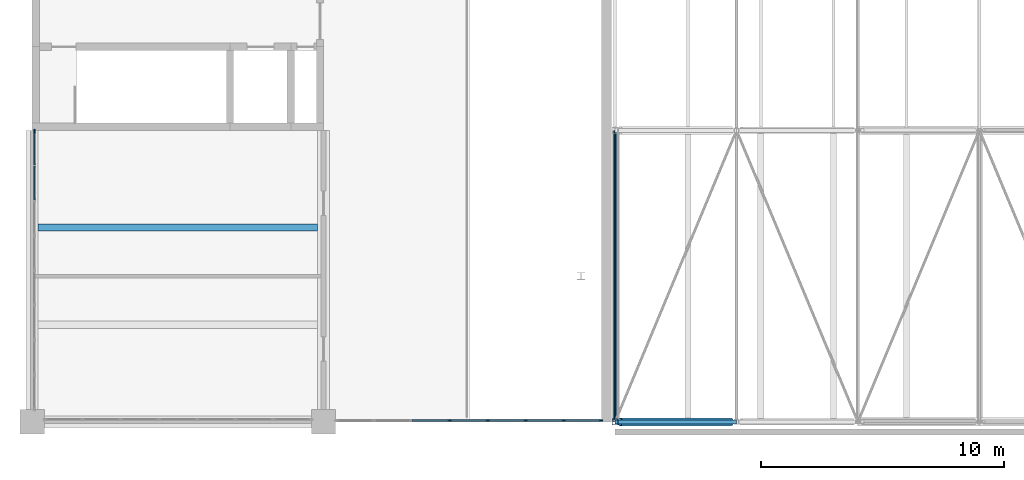
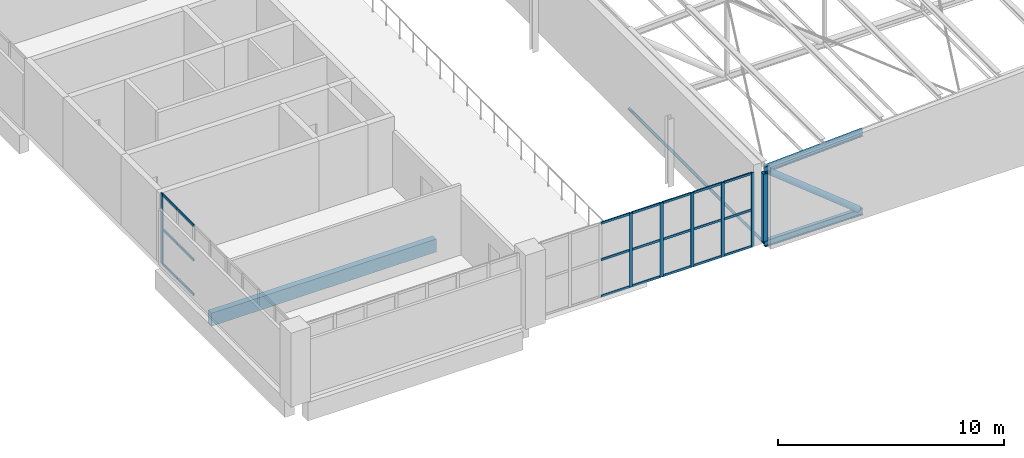
# One storey, part 9 of 156: 32 members, 1 beam, 2 elements without a shape of their own.
"""IFC4 building model written with IfcOpenShell, lengths in metres."""

from ifc_helpers import new_model, si_unit, direction, frame, origin, origin_2d, place, context, subcontext, project, spatial, rectangle, hollow_rectangle, hollow_circle, i_section, extrude, material, layer, layer_set, material_profile, profile_set, type_object, element, aggregate, save


model = new_model("IFC4")

# Units and contexts
model_context = context("Model", 3, precision=1e-05, world=origin(), true_north=direction((0.0, 1.0)))
body_context = subcontext(model_context, "Body", "Model", "MODEL_VIEW")
ifc_project = project(units=[si_unit("LENGTHUNIT", "METRE"), si_unit("AREAUNIT", "SQUARE_METRE"), si_unit("VOLUMEUNIT", "CUBIC_METRE"), si_unit("PLANEANGLEUNIT", "RADIAN"), si_unit("MASSUNIT", "GRAM", prefix="KILO")], contexts=[model_context])

# Site, building, storey
site_placement = place(None, origin())
site = spatial("IfcSite", under=ifc_project, at=site_placement, CompositionType="ELEMENT")
building_placement = place(site_placement, origin())
building = spatial("IfcBuilding", under=site, at=building_placement, Name="Lilac Gate Convention Centre", CompositionType="ELEMENT")
storey_placement = place(building_placement, frame((0.0, 0.0, 17.0)))
storey = spatial("IfcBuildingStorey", under=building, at=storey_placement, Name="L03", CompositionType="ELEMENT", Elevation=17.0)

# Member
ifc_material_1 = material(Name="Steel Q355B", Category="steel")
ifc_material_profile_1 = material_profile(ifc_material_1, hollow_circle(Radius=0.06982421875, WallThickness=0.0048828125, at=origin_2d()), Name="CHS139.7x5")
ifc_profile_set_1 = profile_set([ifc_material_profile_1], Name="Steel Q355B")
member_type_1 = type_object("IfcMemberType", Name="Bottom chord tie CHS139.7x5", PredefinedType="STRUT", material=ifc_profile_set_1)
member_1_placement = place(storey_placement, frame((30.0, 30.00341796875, 0.0), z_axis=(0.0, 1.0, 0.0), x_axis=(-1.0, 0.0, 0.0)))
element("IfcMember", 1, at=member_1_placement, inside=storey, type_object=member_type_1, Name="ST1 tie bay 1 node 1", PredefinedType="STRUT", context=body_context, shape_type="SweptSolid", body=[
    extrude(hollow_circle(Radius=0.06982421875, WallThickness=0.0048828125, at=origin_2d()), origin(), (0.0, 0.0, 1.0), 11.9931640625),
])

# Curtain wall, member
ifc_material_2 = material(Name="Aluminium framed double glazing", Category="aluminium")
ifc_layer = layer(ifc_material_2, 0.199951171875)
ifc_layer_set = layer_set([ifc_layer], Name="Aluminium framed double glazing")
curtain_wall_type = type_object("IfcCurtainWallType", Name="Unitised curtain wall 1500", PredefinedType="NOTDEFINED", material=ifc_layer_set)
curtain_wall_1_placement = place(storey_placement, origin())
curtain_wall_1 = element("IfcCurtainWall", 2, at=curtain_wall_1_placement, inside=storey, type_object=curtain_wall_type, Name="Curtain wall PW L03 12", PredefinedType="NOTDEFINED")
ifc_material_3 = material(Name="Aluminium alloy 6063", Category="aluminium")
ifc_material_profile_2 = material_profile(ifc_material_3, rectangle(XDim=0.06005859375, YDim=0.159912109375, at=origin_2d()), Name="Curtain wall mullion 60 x 160")
ifc_profile_set_2 = profile_set([ifc_material_profile_2], Name="Aluminium alloy 6063")
member_type_2 = type_object("IfcMemberType", Name="Curtain wall mullion 60 x 160", PredefinedType="MULLION", material=ifc_profile_set_2)
member_2_placement = place(storey_placement, frame((6.10009765625, 41.969970703125, 0.0), z_axis=(0.0, 0.0, 1.0), x_axis=(1.0, 0.0, 0.0)))
member_2 = element("IfcMember", 3, at=member_2_placement, type_object=member_type_2, Name="CW mullion 1", PredefinedType="MULLION", context=body_context, shape_type="SweptSolid", body=[
    extrude(rectangle(XDim=0.06005859375, YDim=0.159912109375, at=origin_2d()), origin(), (0.0, 0.0, 1.0), 3.800048828125),
])

# Curtain wall, members
curtain_wall_2_placement = place(storey_placement, origin())
curtain_wall_2 = element("IfcCurtainWall", 4, at=curtain_wall_2_placement, inside=storey, type_object=curtain_wall_type, Name="Galleria end glazing L03", PredefinedType="NOTDEFINED")
member_3_placement = place(storey_placement, frame((23.19287109375, 30.050048828125, 0.0), z_axis=(0.0, 0.0, 1.0), x_axis=(0.0, 1.0, 0.0)))
member_3 = element("IfcMember", 5, at=member_3_placement, type_object=member_type_2, Name="CW mullion 4", PredefinedType="MULLION", context=body_context, shape_type="SweptSolid", body=[
    extrude(rectangle(XDim=0.06005859375, YDim=0.159912109375, at=origin_2d()), origin(), (0.0, 0.0, 1.0), 4.0),
])
member_4_placement = place(storey_placement, frame((24.757080078125, 30.050048828125, 0.0), z_axis=(0.0, 0.0, 1.0), x_axis=(0.0, 1.0, 0.0)))
member_4 = element("IfcMember", 6, at=member_4_placement, type_object=member_type_2, Name="CW mullion 5", PredefinedType="MULLION", context=body_context, shape_type="SweptSolid", body=[
    extrude(rectangle(XDim=0.06005859375, YDim=0.159912109375, at=origin_2d()), origin(), (0.0, 0.0, 1.0), 4.0),
])
member_5_placement = place(storey_placement, frame((26.3212890625, 30.050048828125, 0.0), z_axis=(0.0, 0.0, 1.0), x_axis=(0.0, 1.0, 0.0)))
member_5 = element("IfcMember", 7, at=member_5_placement, type_object=member_type_2, Name="CW mullion 6", PredefinedType="MULLION", context=body_context, shape_type="SweptSolid", body=[
    extrude(rectangle(XDim=0.06005859375, YDim=0.159912109375, at=origin_2d()), origin(), (0.0, 0.0, 1.0), 4.0),
])
member_6_placement = place(storey_placement, frame((27.8857421875, 30.050048828125, 0.0), z_axis=(0.0, 0.0, 1.0), x_axis=(0.0, 1.0, 0.0)))
member_6 = element("IfcMember", 8, at=member_6_placement, type_object=member_type_2, Name="CW mullion 7", PredefinedType="MULLION", context=body_context, shape_type="SweptSolid", body=[
    extrude(rectangle(XDim=0.06005859375, YDim=0.159912109375, at=origin_2d()), origin(), (0.0, 0.0, 1.0), 4.0),
])
member_7_placement = place(storey_placement, frame((29.419921875, 30.050048828125, 0.0), z_axis=(0.0, 0.0, 1.0), x_axis=(0.0, 1.0, 0.0)))
member_7 = element("IfcMember", 9, at=member_7_placement, type_object=member_type_2, Name="CW mullion 8", PredefinedType="MULLION", context=body_context, shape_type="SweptSolid", body=[
    extrude(rectangle(XDim=0.06005859375, YDim=0.159912109375, at=origin_2d()), origin(), (0.0, 0.0, 1.0), 4.0),
])

# Member
ifc_material_profile_3 = material_profile(ifc_material_3, rectangle(XDim=0.06005859375, YDim=0.1201171875, at=origin_2d()), Name="Curtain wall transom 60 x 120")
ifc_profile_set_3 = profile_set([ifc_material_profile_3], Name="Aluminium alloy 6063")
member_type_3 = type_object("IfcMemberType", Name="Curtain wall transom 60 x 120", PredefinedType="USERDEFINED", material=ifc_profile_set_3)
member_8_placement = place(storey_placement, frame((6.10009765625, 41.93994140625, 0.030029296875), z_axis=(0.0, -1.0, 0.0), x_axis=(1.0, 0.0, 0.0)))
member_8 = element("IfcMember", 10, at=member_8_placement, type_object=member_type_3, Name="CW transom 1.1", ObjectType="TRANSOM", PredefinedType="USERDEFINED", context=body_context, shape_type="SweptSolid", body=[
    extrude(rectangle(XDim=0.06005859375, YDim=0.1201171875, at=origin_2d()), origin(), (0.0, 0.0, 1.0), 1.347412109375),
])

member_9_placement = place(storey_placement, frame((6.10009765625, 41.93994140625, 1.89990234375), z_axis=(0.0, -1.0, 0.0), x_axis=(1.0, 0.0, 0.0)))
member_9 = element("IfcMember", 11, at=member_9_placement, type_object=member_type_3, Name="CW transom 1.2", ObjectType="TRANSOM", PredefinedType="USERDEFINED", context=body_context, shape_type="SweptSolid", body=[
    extrude(rectangle(XDim=0.06005859375, YDim=0.1201171875, at=origin_2d()), origin(), (0.0, 0.0, 1.0), 1.347412109375),
])

member_10_placement = place(storey_placement, frame((6.10009765625, 41.93994140625, 3.77001953125), z_axis=(0.0, -1.0, 0.0), x_axis=(1.0, 0.0, 0.0)))
member_10 = element("IfcMember", 12, at=member_10_placement, type_object=member_type_3, Name="CW transom 1.3", ObjectType="TRANSOM", PredefinedType="USERDEFINED", context=body_context, shape_type="SweptSolid", body=[
    extrude(rectangle(XDim=0.06005859375, YDim=0.1201171875, at=origin_2d()), origin(), (0.0, 0.0, 1.0), 1.347412109375),
])

member_11_placement = place(storey_placement, frame((6.10009765625, 40.532470703125, 0.030029296875), z_axis=(0.0, -1.0, 0.0), x_axis=(1.0, 0.0, 0.0)))
member_11 = element("IfcMember", 13, at=member_11_placement, type_object=member_type_3, Name="CW transom 2.1", ObjectType="TRANSOM", PredefinedType="USERDEFINED", context=body_context, shape_type="SweptSolid", body=[
    extrude(rectangle(XDim=0.06005859375, YDim=0.1201171875, at=origin_2d()), origin(), (0.0, 0.0, 1.0), 1.37744140625),
])

member_12_placement = place(storey_placement, frame((6.10009765625, 40.532470703125, 1.89990234375), z_axis=(0.0, -1.0, 0.0), x_axis=(1.0, 0.0, 0.0)))
member_12 = element("IfcMember", 14, at=member_12_placement, type_object=member_type_3, Name="CW transom 2.2", ObjectType="TRANSOM", PredefinedType="USERDEFINED", context=body_context, shape_type="SweptSolid", body=[
    extrude(rectangle(XDim=0.06005859375, YDim=0.1201171875, at=origin_2d()), origin(), (0.0, 0.0, 1.0), 1.37744140625),
])

member_13_placement = place(storey_placement, frame((6.10009765625, 40.532470703125, 3.77001953125), z_axis=(0.0, -1.0, 0.0), x_axis=(1.0, 0.0, 0.0)))
member_13 = element("IfcMember", 15, at=member_13_placement, type_object=member_type_3, Name="CW transom 2.3", ObjectType="TRANSOM", PredefinedType="USERDEFINED", context=body_context, shape_type="SweptSolid", body=[
    extrude(rectangle(XDim=0.06005859375, YDim=0.1201171875, at=origin_2d()), origin(), (0.0, 0.0, 1.0), 1.37744140625),
])

aggregate(curtain_wall_1, [member_2, member_8, member_9, member_10, member_11, member_12, member_13])

member_14_placement = place(storey_placement, frame((21.658447265625, 30.050048828125, 0.030029296875), z_axis=(1.0, 0.0, 0.0), x_axis=(0.0, 1.0, 0.0)))
member_14 = element("IfcMember", 16, at=member_14_placement, type_object=member_type_3, Name="CW transom 3.1", ObjectType="TRANSOM", PredefinedType="USERDEFINED", context=body_context, shape_type="SweptSolid", body=[
    extrude(rectangle(XDim=0.06005859375, YDim=0.1201171875, at=origin_2d()), origin(), (0.0, 0.0, 1.0), 1.50439453125),
])

member_15_placement = place(storey_placement, frame((21.658447265625, 30.050048828125, 2.0), z_axis=(1.0, 0.0, 0.0), x_axis=(0.0, 1.0, 0.0)))
member_15 = element("IfcMember", 17, at=member_15_placement, type_object=member_type_3, Name="CW transom 3.2", ObjectType="TRANSOM", PredefinedType="USERDEFINED", context=body_context, shape_type="SweptSolid", body=[
    extrude(rectangle(XDim=0.06005859375, YDim=0.1201171875, at=origin_2d()), origin(), (0.0, 0.0, 1.0), 1.50439453125),
])

member_16_placement = place(storey_placement, frame((21.658447265625, 30.050048828125, 3.969970703125), z_axis=(1.0, 0.0, 0.0), x_axis=(0.0, 1.0, 0.0)))
member_16 = element("IfcMember", 18, at=member_16_placement, type_object=member_type_3, Name="CW transom 3.3", ObjectType="TRANSOM", PredefinedType="USERDEFINED", context=body_context, shape_type="SweptSolid", body=[
    extrude(rectangle(XDim=0.06005859375, YDim=0.1201171875, at=origin_2d()), origin(), (0.0, 0.0, 1.0), 1.50439453125),
])

member_17_placement = place(storey_placement, frame((23.222900390625, 30.050048828125, 0.030029296875), z_axis=(1.0, 0.0, 0.0), x_axis=(0.0, 1.0, 0.0)))
member_17 = element("IfcMember", 19, at=member_17_placement, type_object=member_type_3, Name="CW transom 4.1", ObjectType="TRANSOM", PredefinedType="USERDEFINED", context=body_context, shape_type="SweptSolid", body=[
    extrude(rectangle(XDim=0.06005859375, YDim=0.1201171875, at=origin_2d()), origin(), (0.0, 0.0, 1.0), 1.504150390625),
])

member_18_placement = place(storey_placement, frame((23.222900390625, 30.050048828125, 2.0), z_axis=(1.0, 0.0, 0.0), x_axis=(0.0, 1.0, 0.0)))
member_18 = element("IfcMember", 20, at=member_18_placement, type_object=member_type_3, Name="CW transom 4.2", ObjectType="TRANSOM", PredefinedType="USERDEFINED", context=body_context, shape_type="SweptSolid", body=[
    extrude(rectangle(XDim=0.06005859375, YDim=0.1201171875, at=origin_2d()), origin(), (0.0, 0.0, 1.0), 1.504150390625),
])

member_19_placement = place(storey_placement, frame((23.222900390625, 30.050048828125, 3.969970703125), z_axis=(1.0, 0.0, 0.0), x_axis=(0.0, 1.0, 0.0)))
member_19 = element("IfcMember", 21, at=member_19_placement, type_object=member_type_3, Name="CW transom 4.3", ObjectType="TRANSOM", PredefinedType="USERDEFINED", context=body_context, shape_type="SweptSolid", body=[
    extrude(rectangle(XDim=0.06005859375, YDim=0.1201171875, at=origin_2d()), origin(), (0.0, 0.0, 1.0), 1.504150390625),
])

member_20_placement = place(storey_placement, frame((24.787109375, 30.050048828125, 0.030029296875), z_axis=(1.0, 0.0, 0.0), x_axis=(0.0, 1.0, 0.0)))
member_20 = element("IfcMember", 22, at=member_20_placement, type_object=member_type_3, Name="CW transom 5.1", ObjectType="TRANSOM", PredefinedType="USERDEFINED", context=body_context, shape_type="SweptSolid", body=[
    extrude(rectangle(XDim=0.06005859375, YDim=0.1201171875, at=origin_2d()), origin(), (0.0, 0.0, 1.0), 1.50439453125),
])

member_21_placement = place(storey_placement, frame((24.787109375, 30.050048828125, 2.0), z_axis=(1.0, 0.0, 0.0), x_axis=(0.0, 1.0, 0.0)))
member_21 = element("IfcMember", 23, at=member_21_placement, type_object=member_type_3, Name="CW transom 5.2", ObjectType="TRANSOM", PredefinedType="USERDEFINED", context=body_context, shape_type="SweptSolid", body=[
    extrude(rectangle(XDim=0.06005859375, YDim=0.1201171875, at=origin_2d()), origin(), (0.0, 0.0, 1.0), 1.50439453125),
])

member_22_placement = place(storey_placement, frame((24.787109375, 30.050048828125, 3.969970703125), z_axis=(1.0, 0.0, 0.0), x_axis=(0.0, 1.0, 0.0)))
member_22 = element("IfcMember", 24, at=member_22_placement, type_object=member_type_3, Name="CW transom 5.3", ObjectType="TRANSOM", PredefinedType="USERDEFINED", context=body_context, shape_type="SweptSolid", body=[
    extrude(rectangle(XDim=0.06005859375, YDim=0.1201171875, at=origin_2d()), origin(), (0.0, 0.0, 1.0), 1.50439453125),
])

member_23_placement = place(storey_placement, frame((26.351318359375, 30.050048828125, 0.030029296875), z_axis=(1.0, 0.0, 0.0), x_axis=(0.0, 1.0, 0.0)))
member_23 = element("IfcMember", 25, at=member_23_placement, type_object=member_type_3, Name="CW transom 6.1", ObjectType="TRANSOM", PredefinedType="USERDEFINED", context=body_context, shape_type="SweptSolid", body=[
    extrude(rectangle(XDim=0.06005859375, YDim=0.1201171875, at=origin_2d()), origin(), (0.0, 0.0, 1.0), 1.50439453125),
])

member_24_placement = place(storey_placement, frame((26.351318359375, 30.050048828125, 2.0), z_axis=(1.0, 0.0, 0.0), x_axis=(0.0, 1.0, 0.0)))
member_24 = element("IfcMember", 26, at=member_24_placement, type_object=member_type_3, Name="CW transom 6.2", ObjectType="TRANSOM", PredefinedType="USERDEFINED", context=body_context, shape_type="SweptSolid", body=[
    extrude(rectangle(XDim=0.06005859375, YDim=0.1201171875, at=origin_2d()), origin(), (0.0, 0.0, 1.0), 1.50439453125),
])

member_25_placement = place(storey_placement, frame((26.351318359375, 30.050048828125, 3.969970703125), z_axis=(1.0, 0.0, 0.0), x_axis=(0.0, 1.0, 0.0)))
member_25 = element("IfcMember", 27, at=member_25_placement, type_object=member_type_3, Name="CW transom 6.3", ObjectType="TRANSOM", PredefinedType="USERDEFINED", context=body_context, shape_type="SweptSolid", body=[
    extrude(rectangle(XDim=0.06005859375, YDim=0.1201171875, at=origin_2d()), origin(), (0.0, 0.0, 1.0), 1.50439453125),
])

member_26_placement = place(storey_placement, frame((27.915771484375, 30.050048828125, 0.030029296875), z_axis=(1.0, 0.0, 0.0), x_axis=(0.0, 1.0, 0.0)))
member_26 = element("IfcMember", 28, at=member_26_placement, type_object=member_type_3, Name="CW transom 7.1", ObjectType="TRANSOM", PredefinedType="USERDEFINED", context=body_context, shape_type="SweptSolid", body=[
    extrude(rectangle(XDim=0.06005859375, YDim=0.1201171875, at=origin_2d()), origin(), (0.0, 0.0, 1.0), 1.47412109375),
])

member_27_placement = place(storey_placement, frame((27.915771484375, 30.050048828125, 2.0), z_axis=(1.0, 0.0, 0.0), x_axis=(0.0, 1.0, 0.0)))
member_27 = element("IfcMember", 29, at=member_27_placement, type_object=member_type_3, Name="CW transom 7.2", ObjectType="TRANSOM", PredefinedType="USERDEFINED", context=body_context, shape_type="SweptSolid", body=[
    extrude(rectangle(XDim=0.06005859375, YDim=0.1201171875, at=origin_2d()), origin(), (0.0, 0.0, 1.0), 1.47412109375),
])

member_28_placement = place(storey_placement, frame((27.915771484375, 30.050048828125, 3.969970703125), z_axis=(1.0, 0.0, 0.0), x_axis=(0.0, 1.0, 0.0)))
member_28 = element("IfcMember", 30, at=member_28_placement, type_object=member_type_3, Name="CW transom 7.3", ObjectType="TRANSOM", PredefinedType="USERDEFINED", context=body_context, shape_type="SweptSolid", body=[
    extrude(rectangle(XDim=0.06005859375, YDim=0.1201171875, at=origin_2d()), origin(), (0.0, 0.0, 1.0), 1.47412109375),
])

aggregate(curtain_wall_2, [member_3, member_4, member_5, member_6, member_7, member_14, member_15, member_16, member_17, member_18, member_19, member_20, member_21, member_22, member_23, member_24, member_25, member_26, member_27, member_28])

# Beam
ifc_material_4 = material(Name="Concrete C40", Category="concrete")
ifc_material_profile_4 = material_profile(ifc_material_4, rectangle(XDim=0.300048828125, YDim=0.699951171875, at=origin_2d()), Name="RC 300x700")
ifc_profile_set_4 = profile_set([ifc_material_profile_4], Name="Concrete C40")
beam_type = type_object("IfcBeamType", Name="Secondary beam 300x700 C40", PredefinedType="BEAM", material=ifc_profile_set_4)
beam_placement = place(storey_placement, frame((6.25, 38.0, -0.60009765625), z_axis=(1.0, 0.0, 0.0), x_axis=(0.0, 1.0, 0.0)))
element("IfcBeam", 31, at=beam_placement, inside=storey, type_object=beam_type, Name="RB2 L03 bay 1/A", PredefinedType="BEAM", context=body_context, shape_type="SweptSolid", body=[
    extrude(rectangle(XDim=0.300048828125, YDim=0.699951171875, at=origin_2d()), origin(), (0.0, 0.0, 1.0), 11.5),
])

# Members
ifc_material_profile_5 = material_profile(ifc_material_1, i_section(OverallWidth=0.175048828125, OverallDepth=0.35009765625, WebThickness=0.007080078125, FlangeThickness=0.010986328125, FilletRadius=0.012939453125, at=origin_2d()), Name="HN350x175x7x11")
ifc_profile_set_5 = profile_set([ifc_material_profile_5], Name="Steel Q355B")
member_type_4 = type_object("IfcMemberType", Name="Truss bottom chord HN350x175x7x11", PredefinedType="CHORD", material=ifc_profile_set_5)
member_29_placement = place(storey_placement, frame((30.0, 30.0, 0.0), z_axis=(1.0, 0.0, 0.0), x_axis=(0.0, 1.0, 0.0)))
element("IfcMember", 32, at=member_29_placement, inside=storey, type_object=member_type_4, Name="TB1 truss 1 bottom chord 1", PredefinedType="CHORD", context=body_context, shape_type="SweptSolid", body=[
    extrude(i_section(OverallWidth=0.175048828125, OverallDepth=0.35009765625, WebThickness=0.007080078125, FlangeThickness=0.010986328125, FilletRadius=0.012939453125, at=origin_2d()), origin(), (0.0, 0.0, 1.0), 5.0),
])
ifc_material_profile_6 = material_profile(ifc_material_1, hollow_circle(Radius=0.161865234375, WallThickness=0.011962890625, at=origin_2d()), Name="CHS323.9x12")
ifc_profile_set_6 = profile_set([ifc_material_profile_6], Name="Steel Q355B")
member_type_5 = type_object("IfcMemberType", Name="Truss diagonal CHS323.9x12", PredefinedType="BRACE", material=ifc_profile_set_6)
member_30_placement = place(storey_placement, frame((30.205322265625, 30.0, 3.835693359375), z_axis=(0.780876938611, 0.0, -0.624684885959), x_axis=(0.0, 1.0, 0.0)))
element("IfcMember", 33, at=member_30_placement, inside=storey, type_object=member_type_5, Name="TW1 truss 1 diagonal 1", PredefinedType="BRACE", context=body_context, shape_type="SweptSolid", body=[
    extrude(hollow_circle(Radius=0.161865234375, WallThickness=0.011962890625, at=origin_2d()), origin(), (0.0, 0.0, 1.0), 5.860107421875),
])
ifc_material_profile_7 = material_profile(ifc_material_1, i_section(OverallWidth=0.175048828125, OverallDepth=0.35009765625, WebThickness=0.007080078125, FlangeThickness=0.010986328125, FilletRadius=0.012939453125, at=origin_2d()), Name="HN350x175x7x11")
ifc_profile_set_7 = profile_set([ifc_material_profile_7], Name="Steel Q355B")
member_type_6 = type_object("IfcMemberType", Name="Truss top chord HN350x175x7x11", PredefinedType="CHORD", material=ifc_profile_set_7)
member_31_placement = place(storey_placement, frame((30.0, 30.0, 4.0), z_axis=(0.998752338878, 0.0, 0.049937616944), x_axis=(0.0, 1.0, 0.0)))
element("IfcMember", 34, at=member_31_placement, inside=storey, type_object=member_type_6, Name="TT1 truss 1 top chord 1", PredefinedType="CHORD", context=body_context, shape_type="SweptSolid", body=[
    extrude(i_section(OverallWidth=0.175048828125, OverallDepth=0.35009765625, WebThickness=0.007080078125, FlangeThickness=0.010986328125, FilletRadius=0.012939453125, at=origin_2d()), origin(), (0.0, 0.0, 1.0), 5.00634765625),
])
ifc_material_profile_8 = material_profile(ifc_material_1, hollow_rectangle(XDim=0.25, YDim=0.25, WallThickness=0.010009765625, InnerFilletRadius=0.014892578125, OuterFilletRadius=0.02490234375, at=origin_2d()), Name="SHS250x250x10")
ifc_profile_set_8 = profile_set([ifc_material_profile_8], Name="Steel Q355B")
member_type_7 = type_object("IfcMemberType", Name="Truss vertical SHS250x250x10", PredefinedType="STRUT", material=ifc_profile_set_8)
member_32_placement = place(storey_placement, frame((30.0, 30.0, 0.175048828125), z_axis=(0.0, 0.0, 1.0), x_axis=(1.0, 0.0, 0.0)))
element("IfcMember", 35, at=member_32_placement, inside=storey, type_object=member_type_7, Name="TV1 truss 1 vertical 1", PredefinedType="STRUT", context=body_context, shape_type="SweptSolid", body=[
    extrude(hollow_rectangle(XDim=0.25, YDim=0.25, WallThickness=0.010009765625, InnerFilletRadius=0.014892578125, OuterFilletRadius=0.02490234375, at=origin_2d()), origin(), (0.0, 0.0, 1.0), 3.649658203125),
])

save(model, "model.ifc")
